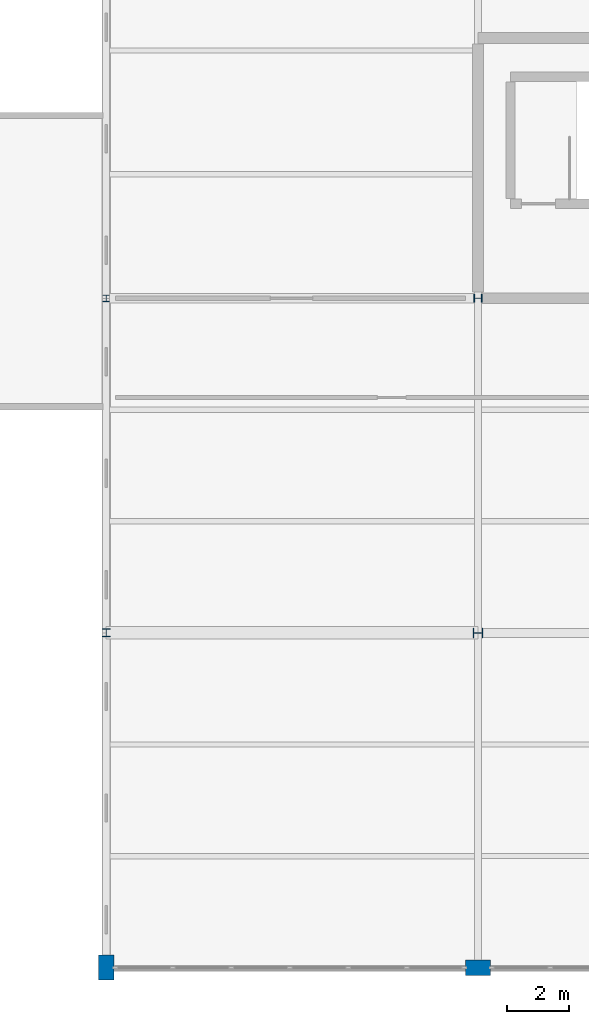
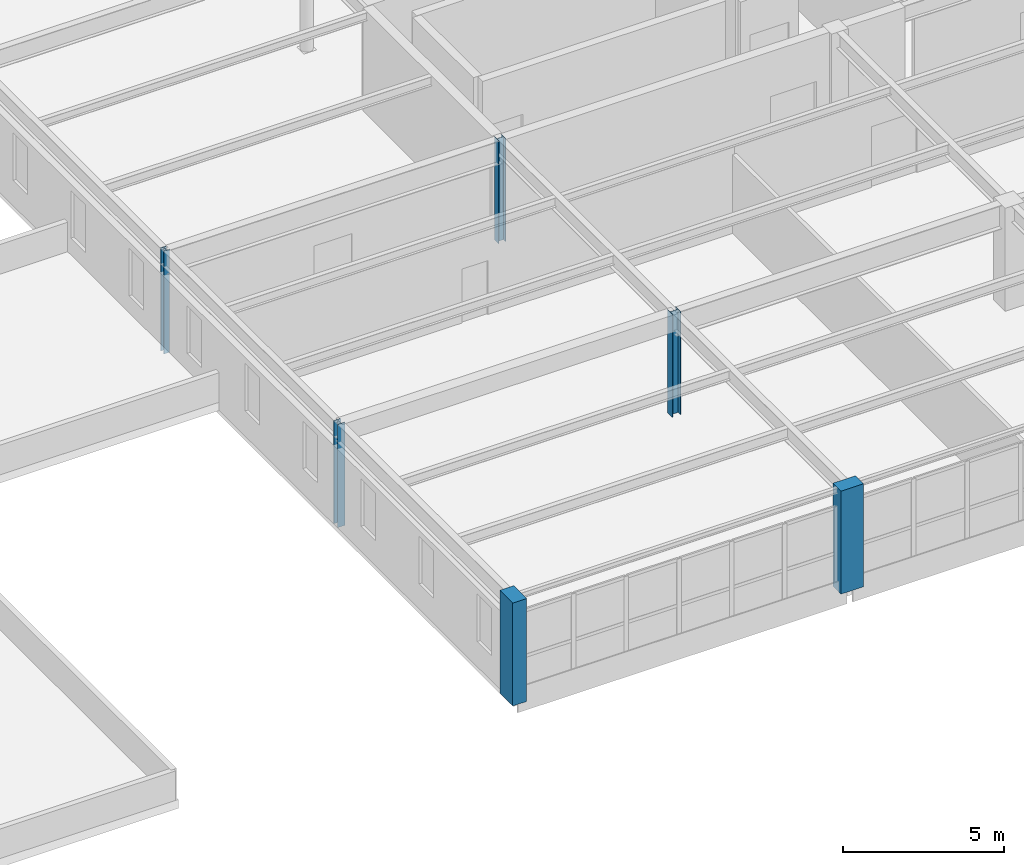
# One storey, part 16 of 128: 6 columns.
"""IFC4 building model written with IfcOpenShell, lengths in metres."""

import ifcopenshell
import ifcopenshell.guid

model = None  # the IFC model being written
_history = None  # IfcOwnerHistory: only IFC2X3 demands one
_inside = {}  # id of a spatial element -> (the spatial element, [elements in it])
_under = {}  # id of a project, library or spatial element -> (it, [spatial elements below it])
_declared = {}  # id of a project -> (the project, [libraries it declares])
_typed = {}  # id of a type object -> (the type object, [elements of that type])
_made_of = {}  # id of a material, layer set ... -> (it, [elements and type objects made of it])


def new_model(schema):
    """Start an empty IFC model of exactly this schema.

    Asked for "IFC4X3", IfcOpenShell would pick the latest addendum, in which some entities
    have other attributes; the version numbers below select the first issue.
    IFC2X3 requires an IfcOwnerHistory on every rooted entity: one is made here for all.
    """
    global model, _history
    if schema == "IFC4X3":
        model = ifcopenshell.file(schema_version=(4, 3, 0, 0))
    else:
        model = ifcopenshell.file(schema=schema)
    _inside.clear()
    _under.clear()
    _declared.clear()
    _typed.clear()
    _made_of.clear()
    _history = None
    if model.schema == "IFC2X3":
        org = make("IfcOrganization", Name="unknown")
        user = make(
            "IfcPersonAndOrganization",
            ThePerson=make("IfcPerson", FamilyName="unknown"),
            TheOrganization=org,
        )
        app = make(
            "IfcApplication",
            ApplicationDeveloper=org,
            Version="unknown",
            ApplicationFullName="unknown",
            ApplicationIdentifier="unknown",
        )
        _history = make(
            "IfcOwnerHistory",
            OwningUser=user,
            OwningApplication=app,
            ChangeAction="ADDED",
            CreationDate=0,
        )
    return model


def make(cls, **values):
    """One entity of the class cls with the attributes given. An attribute that is None is left unset."""
    return model.create_entity(
        cls, **{name: value for name, value in values.items() if value is not None}
    )


def rooted(cls, **values):
    """An entity with a GlobalId (a new one), such as an element, a storey or a relation."""
    return make(cls, GlobalId=ifcopenshell.guid.new(), OwnerHistory=_history, **values)


def si_unit(unit_type, name, prefix=None):
    """IfcSIUnit, for example si_unit("LENGTHUNIT", "METRE", prefix="MILLI")."""
    return make("IfcSIUnit", UnitType=unit_type, Prefix=prefix, Name=name)


def assignment(units):
    """IfcUnitAssignment: the units of a project."""
    return None if units is None else make("IfcUnitAssignment", Units=units)


def point(xyz):
    """IfcCartesianPoint."""
    return None if xyz is None else make("IfcCartesianPoint", Coordinates=xyz)


def direction(xyz):
    """IfcDirection."""
    return None if xyz is None else make("IfcDirection", DirectionRatios=xyz)


def frame(location, z_axis=None, x_axis=None):
    """IfcAxis2Placement3D, a coordinate frame: its origin and axes. An axis left out is left unset."""
    return make(
        "IfcAxis2Placement3D",
        Location=point(location),
        Axis=direction(z_axis),
        RefDirection=direction(x_axis),
    )


def frame_2d(location, x_axis=None):
    """IfcAxis2Placement2D, a coordinate frame in the plane: its origin and x axis."""
    return make(
        "IfcAxis2Placement2D", Location=point(location), RefDirection=direction(x_axis)
    )


def origin():
    """The frame at (0, 0, 0) with its axes left unset."""
    return frame((0.0, 0.0, 0.0))


def origin_2d():
    """The frame at (0, 0) in the plane with its x axis left unset."""
    return frame_2d((0.0, 0.0))


def place(relative_to, where):
    """IfcLocalPlacement: puts the frame where relative to a parent placement (None: the world)."""
    return make(
        "IfcLocalPlacement", PlacementRelTo=relative_to, RelativePlacement=where
    )


def context(
    kind, dimensions, precision=None, world=None, true_north=None, identifier=None
):
    """IfcGeometricRepresentationContext, for example the 3D "Model" context."""
    return make(
        "IfcGeometricRepresentationContext",
        ContextIdentifier=identifier,
        ContextType=kind,
        CoordinateSpaceDimension=dimensions,
        Precision=precision,
        WorldCoordinateSystem=world,
        TrueNorth=true_north,
    )


def subcontext(parent, identifier, kind, view, scale=None):
    """IfcGeometricRepresentationSubContext, for example "Body" below "Model"."""
    return make(
        "IfcGeometricRepresentationSubContext",
        ContextIdentifier=identifier,
        ContextType=kind,
        ParentContext=parent,
        TargetScale=scale,
        TargetView=view,
    )


def project(units=None, contexts=None):
    """IfcProject with its units and contexts."""
    return rooted(
        "IfcProject",
        Name="project",
        RepresentationContexts=contexts,
        UnitsInContext=assignment(units),
    )


def spatial(cls, under=None, at=None, **own):
    """A site, building, storey or space (cls), placed at a placement, below another one or the project."""
    s = rooted(cls, ObjectPlacement=at, **own)
    if under is not None:
        _under.setdefault(under.id(), (under, []))[1].append(s)
    return s


def profile(cls, at=None, kind="AREA", **sizes):
    """A parametric profile (cls). Its sizes go by their IFC names, for example OverallWidth=200.0."""
    return make(cls, ProfileType=kind, Position=at, **sizes)


def rectangle(**sizes):
    """IfcRectangleProfileDef."""
    return profile("IfcRectangleProfileDef", **sizes)


def i_section(**sizes):
    """IfcIShapeProfileDef."""
    return profile("IfcIShapeProfileDef", **sizes)


def extrude(swept, where, along, depth):
    """IfcExtrudedAreaSolid: the profile swept, set in the frame where, extruded along a direction by depth."""
    return make(
        "IfcExtrudedAreaSolid",
        SweptArea=swept,
        Position=where,
        ExtrudedDirection=direction(along),
        Depth=depth,
    )


def shape(context_of_items, identifier, shape_type, items):
    """IfcShapeRepresentation: the items that make up one representation, for example the "Body"."""
    return make(
        "IfcShapeRepresentation",
        ContextOfItems=context_of_items,
        RepresentationIdentifier=identifier,
        RepresentationType=shape_type,
        Items=items,
    )


def material(Name=None, Category=None):
    """IfcMaterial."""
    return make("IfcMaterial", Name=Name, Category=Category)


def material_profile(
    of_material, cross_section, Name=None, Category=None, Priority=None
):
    """IfcMaterialProfile: a cross section and its material."""
    return make(
        "IfcMaterialProfile",
        Name=Name,
        Material=of_material,
        Profile=cross_section,
        Priority=Priority,
        Category=Category,
    )


def profile_set(profiles, Name=None, composite=None):
    """IfcMaterialProfileSet."""
    return make(
        "IfcMaterialProfileSet",
        Name=Name,
        MaterialProfiles=profiles,
        CompositeProfile=composite,
    )


def made_of(thing, what):
    """Note that an element or type object is made of a material, layer set ...; save() writes the relation."""
    if what is not None:
        _made_of.setdefault(what.id(), (what, []))[1].append(thing)
    return thing


def type_object(cls, material=None, **own):
    """A type object (cls), such as IfcWallType, which elements share."""
    return made_of(rooted(cls, **own), material)


def element(
    cls,
    number,
    at=None,
    inside=None,
    cuts=None,
    type_object=None,
    material=None,
    context=None,
    identifier="Body",
    shape_type=None,
    held_by="IfcProductDefinitionShape",
    body=None,
    shapes=None,
    **own,
):
    """One element of the class cls, such as IfcWall. Its Tag is "e" and its number.

    at: its placement. inside: the storey or other place that contains it. cuts: it is an
    opening in that element (IfcRelVoidsElement). A single representation is given by context,
    identifier, shape_type and body (its items); several are given by shapes. held_by: the class
    of the entity that holds the representations. save() writes the other relations.
    """
    e = rooted(cls, Tag="e%d" % number, ObjectPlacement=at, **own)
    if body is not None:
        shapes = [shape(context, identifier, shape_type, body)]
    if shapes is not None:
        e.Representation = make(held_by, Representations=shapes)
    if inside is not None:
        _inside.setdefault(inside.id(), (inside, []))[1].append(e)
    if cuts is not None:
        rooted(
            "IfcRelVoidsElement", RelatingBuildingElement=cuts, RelatedOpeningElement=e
        )
    if type_object is not None:
        _typed.setdefault(type_object.id(), (type_object, []))[1].append(e)
    return made_of(e, material)


def aggregate(whole, parts):
    """IfcRelAggregates: a whole, such as a stair, and the parts it consists of."""
    return rooted("IfcRelAggregates", RelatingObject=whole, RelatedObjects=parts)


def save(model, path):
    """Write the relations noted so far, then the file.

    IfcRelAggregates (storeys below a building ...), IfcRelContainedInSpatialStructure (elements
    in a storey), IfcRelDefinesByType, IfcRelAssociatesMaterial and IfcRelDeclares: one each for
    every whole, place, type object, material and project.
    """
    for whole, parts in _under.values():
        aggregate(whole, parts)
    for where, things in _inside.values():
        rooted(
            "IfcRelContainedInSpatialStructure",
            RelatedElements=things,
            RelatingStructure=where,
        )
    for kind, things in _typed.values():
        rooted("IfcRelDefinesByType", RelatedObjects=things, RelatingType=kind)
    for what, things in _made_of.values():
        rooted("IfcRelAssociatesMaterial", RelatedObjects=things, RelatingMaterial=what)
    for by, libraries in _declared.values():
        rooted("IfcRelDeclares", RelatingContext=by, RelatedDefinitions=libraries)
    model.write(path)


model = new_model("IFC4")

# Units and contexts
model_context = context("Model", 3, precision=1e-05, world=origin(), true_north=direction((0.0, 1.0)))
body_context = subcontext(model_context, "Body", "Model", "MODEL_VIEW")
ifc_project = project(units=[si_unit("LENGTHUNIT", "METRE"), si_unit("AREAUNIT", "SQUARE_METRE"), si_unit("VOLUMEUNIT", "CUBIC_METRE"), si_unit("PLANEANGLEUNIT", "RADIAN"), si_unit("MASSUNIT", "GRAM", prefix="KILO")], contexts=[model_context])

# Site, building, storey
site_placement = place(None, origin())
site = spatial("IfcSite", under=ifc_project, at=site_placement, CompositionType="ELEMENT")
building_placement = place(site_placement, origin())
building = spatial("IfcBuilding", under=site, at=building_placement, Name="Tarnwether General Hospital", CompositionType="ELEMENT")
storey_placement = place(building_placement, frame((0.0, 0.0, 14.39990234375)))
storey = spatial("IfcBuildingStorey", under=building, at=storey_placement, Name="L03", CompositionType="ELEMENT", Elevation=14.39990234375)

# Columns
ifc_material_1 = material(Name="Steel Grade 350 (350 MPa)", Category="steel")
ifc_material_profile_1 = material_profile(ifc_material_1, i_section(OverallWidth=0.304931640625, OverallDepth=0.30810546875, WebThickness=0.010009765625, FlangeThickness=0.015380859375, at=origin_2d()), Name="310UC96.8")
ifc_profile_set_1 = profile_set([ifc_material_profile_1], Name="Steel Grade 350 (350 MPa)")
column_type_1 = type_object("IfcColumnType", Name="COL-08", PredefinedType="COLUMN", material=ifc_profile_set_1)
column_1_placement = place(storey_placement, frame((156.0, 10.800048828125, 0.0), z_axis=(0.0, 0.0, 1.0), x_axis=(0.0, 1.0, 0.0)))
element("IfcColumn", 1, at=column_1_placement, inside=storey, type_object=column_type_1, Name="Column COLG-L03-15600_1080", PredefinedType="COLUMN", context=body_context, shape_type="SweptSolid", body=[
    extrude(i_section(OverallWidth=0.304931640625, OverallDepth=0.30810546875, WebThickness=0.010009765625, FlangeThickness=0.015380859375, at=origin_2d()), origin(), (0.0, 0.0, 1.0), 3.900146484375),
])
ifc_material_2 = material(Name="Steel Grade 350 (350 MPa)", Category="steel")
ifc_material_profile_2 = material_profile(ifc_material_2, i_section(OverallWidth=0.256103515625, OverallDepth=0.260009765625, WebThickness=0.010498046875, FlangeThickness=0.017333984375, at=origin_2d()), Name="250UC89.5")
ifc_profile_set_2 = profile_set([ifc_material_profile_2], Name="Steel Grade 350 (350 MPa)")
column_type_2 = type_object("IfcColumnType", Name="COL-09", PredefinedType="COLUMN", material=ifc_profile_set_2)
column_2_placement = place(storey_placement, frame((156.0, 21.60009765625, 0.0), z_axis=(0.0, 0.0, 1.0), x_axis=(0.0, 1.0, 0.0)))
element("IfcColumn", 2, at=column_2_placement, inside=storey, type_object=column_type_2, Name="Column COLG-L03-15600_2160", PredefinedType="COLUMN", context=body_context, shape_type="SweptSolid", body=[
    extrude(i_section(OverallWidth=0.256103515625, OverallDepth=0.260009765625, WebThickness=0.010498046875, FlangeThickness=0.017333984375, at=origin_2d()), origin(), (0.0, 0.0, 1.0), 3.900146484375),
])
ifc_material_3 = material(Name="Concrete 50 MPa", Category="concrete")
ifc_material_profile_3 = material_profile(ifc_material_3, rectangle(XDim=0.5, YDim=0.800048828125, at=origin_2d()), Name="RC-PIL-500x800")
ifc_profile_set_3 = profile_set([ifc_material_profile_3], Name="Concrete 50 MPa")
column_type_3 = type_object("IfcColumnType", Name="COL-23", PredefinedType="PILASTER", material=ifc_profile_set_3)
for number, where, z_axis, x_axis, name in (
    (3, (144.0, 0.0, 0.0), (0.0, 0.0, 1.0), (1.0, 0.0, 0.0), "Column COLG-L03-14400_0"),
    (4, (156.0, 0.0, 0.0), (0.0, 0.0, 1.0), (0.0, 1.0, 0.0), "Column COLG-L03-15600_0"),
):
    element("IfcColumn", number, at=place(storey_placement, frame(where, z_axis=z_axis, x_axis=x_axis)), inside=storey, type_object=column_type_3, Name=name, PredefinedType="PILASTER", context=body_context, shape_type="SweptSolid", body=[
        extrude(rectangle(XDim=0.5, YDim=0.800048828125, at=origin_2d()), origin(), (0.0, 0.0, 1.0), 3.900146484375),
    ])
ifc_material_4 = material(Name="Steel Grade 350 (350 MPa)", Category="steel")
ifc_material_profile_4 = material_profile(ifc_material_4, i_section(OverallWidth=0.25390625, OverallDepth=0.25390625, WebThickness=0.008544921875, FlangeThickness=0.01416015625, at=origin_2d()), Name="250UC72.9")
ifc_profile_set_4 = profile_set([ifc_material_profile_4], Name="Steel Grade 350 (350 MPa)")
column_type_4 = type_object("IfcColumnType", Name="COL-24", PredefinedType="COLUMN", material=ifc_profile_set_4)
column_3_placement = place(storey_placement, frame((144.0, 10.800048828125, 0.0), z_axis=(0.0, 0.0, 1.0), x_axis=(1.0, 0.0, 0.0)))
element("IfcColumn", 5, at=column_3_placement, inside=storey, type_object=column_type_4, Name="Column COLG-L03-14400_1080", PredefinedType="COLUMN", context=body_context, shape_type="SweptSolid", body=[
    extrude(i_section(OverallWidth=0.25390625, OverallDepth=0.25390625, WebThickness=0.008544921875, FlangeThickness=0.01416015625, at=origin_2d()), origin(), (0.0, 0.0, 1.0), 3.900146484375),
])
ifc_material_5 = material(Name="Steel Grade 350 (350 MPa)", Category="steel")
ifc_material_profile_5 = material_profile(ifc_material_5, i_section(OverallWidth=0.205078125, OverallDepth=0.2099609375, WebThickness=0.00927734375, FlangeThickness=0.01416015625, at=origin_2d()), Name="200UC59.5")
ifc_profile_set_5 = profile_set([ifc_material_profile_5], Name="Steel Grade 350 (350 MPa)")
column_type_5 = type_object("IfcColumnType", Name="COL-25", PredefinedType="COLUMN", material=ifc_profile_set_5)
column_4_placement = place(storey_placement, frame((144.0, 21.60009765625, 0.0), z_axis=(0.0, 0.0, 1.0), x_axis=(1.0, 0.0, 0.0)))
element("IfcColumn", 6, at=column_4_placement, inside=storey, type_object=column_type_5, Name="Column COLG-L03-14400_2160", PredefinedType="COLUMN", context=body_context, shape_type="SweptSolid", body=[
    extrude(i_section(OverallWidth=0.205078125, OverallDepth=0.2099609375, WebThickness=0.00927734375, FlangeThickness=0.01416015625, at=origin_2d()), origin(), (0.0, 0.0, 1.0), 3.900146484375),
])

save(model, "model.ifc")
